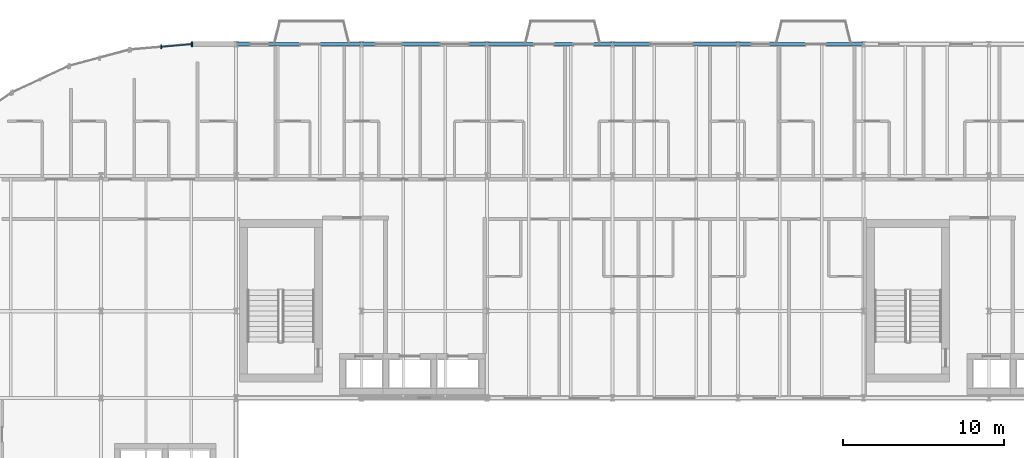
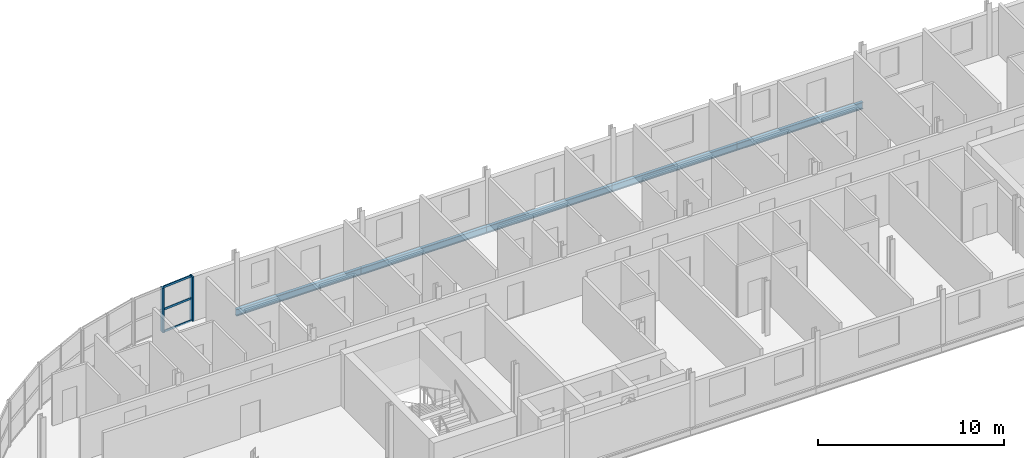
# One storey, part 9 of 25: 5 beams, 5 members, 1 element without a shape of its own.
"""IFC4 building model written with IfcOpenShell, lengths in metres."""

from ifc_helpers import new_model, si_unit, direction, frame, origin, origin_2d, place, context, subcontext, project, spatial, rectangle, i_section, extrude, material, layer, layer_set, material_profile, profile_set, type_object, element, aggregate, save


model = new_model("IFC4")

# Units and contexts
model_context = context("Model", 3, precision=1e-05, world=origin(), true_north=direction((0.0, 1.0)))
body_context = subcontext(model_context, "Body", "Model", "MODEL_VIEW")
ifc_project = project(units=[si_unit("LENGTHUNIT", "METRE"), si_unit("AREAUNIT", "SQUARE_METRE"), si_unit("VOLUMEUNIT", "CUBIC_METRE"), si_unit("PLANEANGLEUNIT", "RADIAN"), si_unit("MASSUNIT", "GRAM", prefix="KILO")], contexts=[model_context])

# Site, building, storey
site_placement = place(None, origin())
site = spatial("IfcSite", under=ifc_project, at=site_placement, CompositionType="ELEMENT")
building_placement = place(site_placement, origin())
building = spatial("IfcBuilding", under=site, at=building_placement, Name="Sefraquen Railside Congress Hotel", CompositionType="ELEMENT")
storey_placement = place(building_placement, frame((0.0, 0.0, 39.0)))
storey = spatial("IfcBuildingStorey", under=building, at=storey_placement, Name="L09", CompositionType="ELEMENT", Elevation=39.0)

# Beams
ifc_material_1 = material(Name="Steel S355JR", Category="steel")
ifc_material_profile_1 = material_profile(ifc_material_1, i_section(OverallWidth=0.18994140625, OverallDepth=0.449951171875, WebThickness=0.009521484375, FlangeThickness=0.0146484375, FilletRadius=0.02099609375, at=origin_2d()), Name="IPE 450")
ifc_profile_set_1 = profile_set([ifc_material_profile_1], Name="Steel S355JR")
beam_type = type_object("IfcBeamType", Name="TB-BM-450", PredefinedType="BEAM", material=ifc_profile_set_1)
for number, where, z_axis, x_axis, name in (
    (1, (25.199951171875, 118.0, -0.445068359375), (1.0, 0.0, 0.0), (0.0, 1.0, 0.0), "Primary girder BM-L09-1991"),
    (2, (33.0, 118.0, -0.445068359375), (1.0, 0.0, 0.0), (0.0, 1.0, 0.0), "Primary girder BM-L09-1992"),
    (3, (40.800048828125, 118.0, -0.445068359375), (1.0, 0.0, 0.0), (0.0, 1.0, 0.0), "Primary girder BM-L09-1993"),
):
    element("IfcBeam", number, at=place(storey_placement, frame(where, z_axis=z_axis, x_axis=x_axis)), inside=storey, type_object=beam_type, Name=name, PredefinedType="BEAM", context=body_context, shape_type="SweptSolid", body=[
        extrude(i_section(OverallWidth=0.18994140625, OverallDepth=0.449951171875, WebThickness=0.009521484375, FlangeThickness=0.0146484375, FilletRadius=0.02099609375, at=origin_2d()), origin(), (0.0, 0.0, 1.0), 7.800048828125),
    ])
beam_1_placement = place(storey_placement, frame((48.60009765625, 118.0, -0.445068359375), z_axis=(1.0, 0.0, 0.0), x_axis=(0.0, 1.0, 0.0)))
element("IfcBeam", 4, at=beam_1_placement, inside=storey, type_object=beam_type, Name="Primary girder BM-L09-1994", PredefinedType="BEAM", context=body_context, shape_type="SweptSolid", body=[
    extrude(i_section(OverallWidth=0.18994140625, OverallDepth=0.449951171875, WebThickness=0.009521484375, FlangeThickness=0.0146484375, FilletRadius=0.02099609375, at=origin_2d()), origin(), (0.0, 0.0, 1.0), 7.7998046875),
])
beam_2_placement = place(storey_placement, frame((56.39990234375, 118.0, -0.445068359375), z_axis=(1.0, 0.0, 0.0), x_axis=(0.0, 1.0, 0.0)))
element("IfcBeam", 5, at=beam_2_placement, inside=storey, type_object=beam_type, Name="Primary girder BM-L09-1995", PredefinedType="BEAM", context=body_context, shape_type="SweptSolid", body=[
    extrude(i_section(OverallWidth=0.18994140625, OverallDepth=0.449951171875, WebThickness=0.009521484375, FlangeThickness=0.0146484375, FilletRadius=0.02099609375, at=origin_2d()), origin(), (0.0, 0.0, 1.0), 7.800048828125),
])

# Curtain wall, members
ifc_material_2 = material(Name="Thermally broken anodised aluminium and low-E double glazing", Category="aluminium")
ifc_layer = layer(ifc_material_2, 0.199951171875)
ifc_layer_set = layer_set([ifc_layer], Name="Thermally broken anodised aluminium and low-E double glazing")
curtain_wall_type = type_object("IfcCurtainWallType", Name="TCW-UCW-18", PredefinedType="USERDEFINED", material=ifc_layer_set)
curtain_wall_placement = place(storey_placement, origin())
curtain_wall = element("IfcCurtainWall", 6, at=curtain_wall_placement, inside=storey, type_object=curtain_wall_type, Name="Rotunda L09 curved curtain wall facet 1", ObjectType="UNITISED CURTAIN WALL", PredefinedType="USERDEFINED")
ifc_material_3 = material(Name="Thermally broken anodised aluminium 6063-T6", Category="aluminium")
ifc_material_profile_2 = material_profile(ifc_material_3, rectangle(XDim=0.0849609375, YDim=0.260009765625, at=origin_2d()), Name="CWM 85x260")
ifc_profile_set_2 = profile_set([ifc_material_profile_2], Name="Thermally broken anodised aluminium 6063-T6")
member_type_1 = type_object("IfcMemberType", Name="TM-CWM-06", PredefinedType="MULLION", material=ifc_profile_set_2)
member_1_placement = place(storey_placement, frame((20.54638671875, 117.8291015625, 0.0), z_axis=(0.0, 0.0, 1.0), x_axis=(1.0, 0.0, 0.0)))
member_1 = element("IfcMember", 7, at=member_1_placement, type_object=member_type_1, Name="CW-L09-ROT-01 mullion 2", PredefinedType="MULLION", context=body_context, shape_type="SweptSolid", body=[
    extrude(rectangle(XDim=0.0849609375, YDim=0.260009765625, at=origin_2d()), origin(), (0.0, 0.0, 1.0), 2.929931640625),
])
ifc_material_profile_3 = material_profile(ifc_material_3, rectangle(XDim=0.094970703125, YDim=0.300048828125, at=origin_2d()), Name="CWM 95x300")
ifc_profile_set_3 = profile_set([ifc_material_profile_3], Name="Thermally broken anodised aluminium 6063-T6")
member_type_2 = type_object("IfcMemberType", Name="TM-CWM-08", PredefinedType="MULLION", material=ifc_profile_set_3)
member_2_placement = place(storey_placement, frame((22.460205078125, 117.99658203125, 0.0), z_axis=(0.0, 0.0, 1.0), x_axis=(1.0, 0.0, 0.0)))
member_2 = element("IfcMember", 8, at=member_2_placement, type_object=member_type_2, Name="CW-L09-ROT-01 mullion 1", PredefinedType="MULLION", context=body_context, shape_type="SweptSolid", body=[
    extrude(rectangle(XDim=0.094970703125, YDim=0.300048828125, at=origin_2d()), origin(), (0.0, 0.0, 1.0), 2.929931640625),
])
ifc_material_profile_4 = material_profile(ifc_material_3, rectangle(XDim=0.06494140625, YDim=0.135009765625, at=origin_2d()), Name="CWT 65x135")
ifc_profile_set_4 = profile_set([ifc_material_profile_4], Name="Thermally broken anodised aluminium 6063-T6")
member_type_3 = type_object("IfcMemberType", Name="TM-CWT-02", PredefinedType="USERDEFINED", material=ifc_profile_set_4)
member_3_placement = place(storey_placement, frame((22.415283203125, 117.99267578125, 0.0), z_axis=(-0.996190387898, -0.08720499447, 0.0), x_axis=(0.08720499447, -0.996190387898, 0.0)))
member_3 = element("IfcMember", 9, at=member_3_placement, type_object=member_type_3, Name="CW-L09-ROT-01 transom 1.1", ObjectType="TRANSOM", PredefinedType="USERDEFINED", context=body_context, shape_type="SweptSolid", body=[
    extrude(rectangle(XDim=0.06494140625, YDim=0.135009765625, at=origin_2d()), origin(), (0.0, 0.0, 1.0), 1.8310546875),
])
member_4_placement = place(storey_placement, frame((22.415283203125, 117.99267578125, 1.465087890625), z_axis=(-0.996190387898, -0.08720499447, 0.0), x_axis=(0.08720499447, -0.996190387898, 0.0)))
member_4 = element("IfcMember", 10, at=member_4_placement, type_object=member_type_3, Name="CW-L09-ROT-01 transom 2.1", ObjectType="TRANSOM", PredefinedType="USERDEFINED", context=body_context, shape_type="SweptSolid", body=[
    extrude(rectangle(XDim=0.06494140625, YDim=0.135009765625, at=origin_2d()), origin(), (0.0, 0.0, 1.0), 1.8310546875),
])
member_5_placement = place(storey_placement, frame((22.415283203125, 117.99267578125, 2.929931640625), z_axis=(-0.996190387898, -0.08720499447, 0.0), x_axis=(0.08720499447, -0.996190387898, 0.0)))
member_5 = element("IfcMember", 11, at=member_5_placement, type_object=member_type_3, Name="CW-L09-ROT-01 transom 3.1", ObjectType="TRANSOM", PredefinedType="USERDEFINED", context=body_context, shape_type="SweptSolid", body=[
    extrude(rectangle(XDim=0.06494140625, YDim=0.135009765625, at=origin_2d()), origin(), (0.0, 0.0, 1.0), 1.8310546875),
])
aggregate(curtain_wall, [member_2, member_1, member_3, member_4, member_5])

save(model, "model.ifc")
